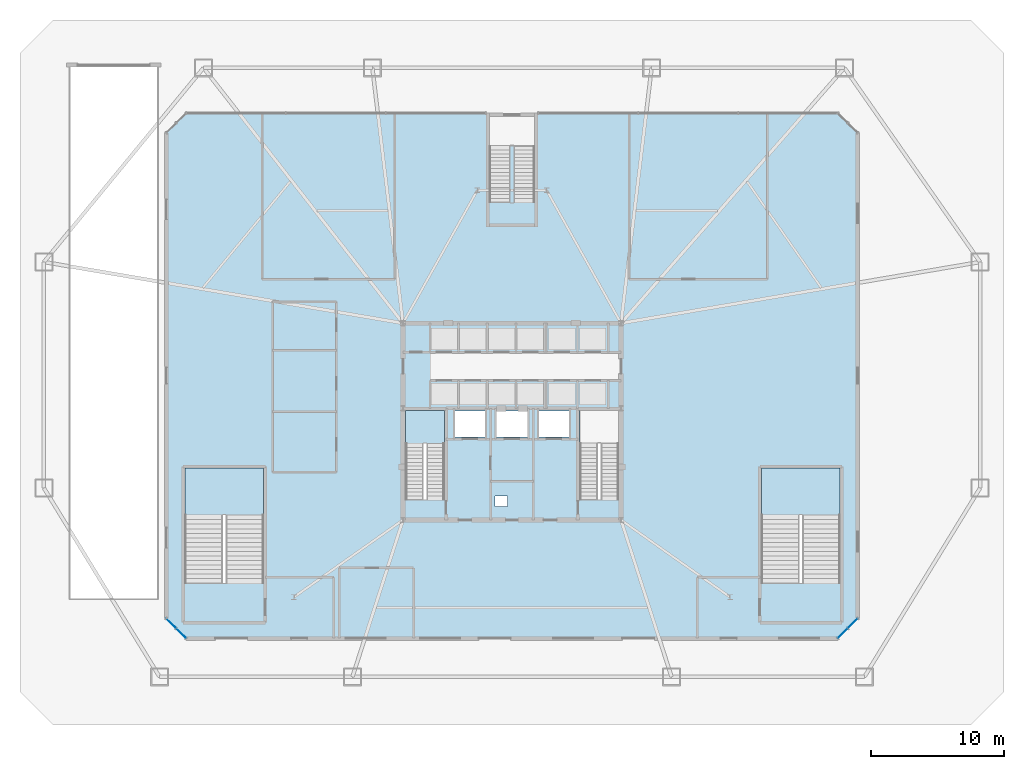
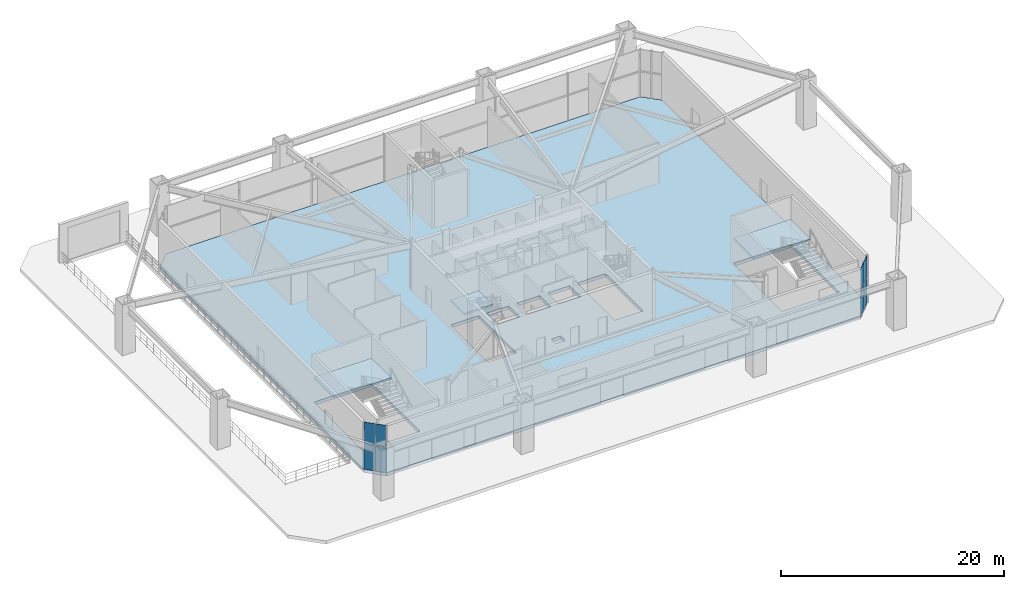
# One storey, part 12 of 20: 8 plates, 4 slabs, 5 elements without a shape of their own.
"""IFC4 building model written with IfcOpenShell, lengths in metres."""

import ifcopenshell
import ifcopenshell.guid

model = None  # the IFC model being written
_history = None  # IfcOwnerHistory: only IFC2X3 demands one
_inside = {}  # id of a spatial element -> (the spatial element, [elements in it])
_under = {}  # id of a project, library or spatial element -> (it, [spatial elements below it])
_declared = {}  # id of a project -> (the project, [libraries it declares])
_typed = {}  # id of a type object -> (the type object, [elements of that type])
_made_of = {}  # id of a material, layer set ... -> (it, [elements and type objects made of it])


def new_model(schema):
    """Start an empty IFC model of exactly this schema.

    Asked for "IFC4X3", IfcOpenShell would pick the latest addendum, in which some entities
    have other attributes; the version numbers below select the first issue.
    IFC2X3 requires an IfcOwnerHistory on every rooted entity: one is made here for all.
    """
    global model, _history
    if schema == "IFC4X3":
        model = ifcopenshell.file(schema_version=(4, 3, 0, 0))
    else:
        model = ifcopenshell.file(schema=schema)
    _inside.clear()
    _under.clear()
    _declared.clear()
    _typed.clear()
    _made_of.clear()
    _history = None
    if model.schema == "IFC2X3":
        org = make("IfcOrganization", Name="unknown")
        user = make(
            "IfcPersonAndOrganization",
            ThePerson=make("IfcPerson", FamilyName="unknown"),
            TheOrganization=org,
        )
        app = make(
            "IfcApplication",
            ApplicationDeveloper=org,
            Version="unknown",
            ApplicationFullName="unknown",
            ApplicationIdentifier="unknown",
        )
        _history = make(
            "IfcOwnerHistory",
            OwningUser=user,
            OwningApplication=app,
            ChangeAction="ADDED",
            CreationDate=0,
        )
    return model


def make(cls, **values):
    """One entity of the class cls with the attributes given. An attribute that is None is left unset."""
    return model.create_entity(
        cls, **{name: value for name, value in values.items() if value is not None}
    )


def rooted(cls, **values):
    """An entity with a GlobalId (a new one), such as an element, a storey or a relation."""
    return make(cls, GlobalId=ifcopenshell.guid.new(), OwnerHistory=_history, **values)


def si_unit(unit_type, name, prefix=None):
    """IfcSIUnit, for example si_unit("LENGTHUNIT", "METRE", prefix="MILLI")."""
    return make("IfcSIUnit", UnitType=unit_type, Prefix=prefix, Name=name)


def assignment(units):
    """IfcUnitAssignment: the units of a project."""
    return None if units is None else make("IfcUnitAssignment", Units=units)


def point(xyz):
    """IfcCartesianPoint."""
    return None if xyz is None else make("IfcCartesianPoint", Coordinates=xyz)


def direction(xyz):
    """IfcDirection."""
    return None if xyz is None else make("IfcDirection", DirectionRatios=xyz)


def frame(location, z_axis=None, x_axis=None):
    """IfcAxis2Placement3D, a coordinate frame: its origin and axes. An axis left out is left unset."""
    return make(
        "IfcAxis2Placement3D",
        Location=point(location),
        Axis=direction(z_axis),
        RefDirection=direction(x_axis),
    )


def frame_2d(location, x_axis=None):
    """IfcAxis2Placement2D, a coordinate frame in the plane: its origin and x axis."""
    return make(
        "IfcAxis2Placement2D", Location=point(location), RefDirection=direction(x_axis)
    )


def origin():
    """The frame at (0, 0, 0) with its axes left unset."""
    return frame((0.0, 0.0, 0.0))


def origin_2d():
    """The frame at (0, 0) in the plane with its x axis left unset."""
    return frame_2d((0.0, 0.0))


def place(relative_to, where):
    """IfcLocalPlacement: puts the frame where relative to a parent placement (None: the world)."""
    return make(
        "IfcLocalPlacement", PlacementRelTo=relative_to, RelativePlacement=where
    )


def context(
    kind, dimensions, precision=None, world=None, true_north=None, identifier=None
):
    """IfcGeometricRepresentationContext, for example the 3D "Model" context."""
    return make(
        "IfcGeometricRepresentationContext",
        ContextIdentifier=identifier,
        ContextType=kind,
        CoordinateSpaceDimension=dimensions,
        Precision=precision,
        WorldCoordinateSystem=world,
        TrueNorth=true_north,
    )


def subcontext(parent, identifier, kind, view, scale=None):
    """IfcGeometricRepresentationSubContext, for example "Body" below "Model"."""
    return make(
        "IfcGeometricRepresentationSubContext",
        ContextIdentifier=identifier,
        ContextType=kind,
        ParentContext=parent,
        TargetScale=scale,
        TargetView=view,
    )


def project(units=None, contexts=None):
    """IfcProject with its units and contexts."""
    return rooted(
        "IfcProject",
        Name="project",
        RepresentationContexts=contexts,
        UnitsInContext=assignment(units),
    )


def spatial(cls, under=None, at=None, **own):
    """A site, building, storey or space (cls), placed at a placement, below another one or the project."""
    s = rooted(cls, ObjectPlacement=at, **own)
    if under is not None:
        _under.setdefault(under.id(), (under, []))[1].append(s)
    return s


def polyline(points):
    """IfcPolyline through the points."""
    return make("IfcPolyline", Points=[point(p) for p in points])


def profile(cls, at=None, kind="AREA", **sizes):
    """A parametric profile (cls). Its sizes go by their IFC names, for example OverallWidth=200.0."""
    return make(cls, ProfileType=kind, Position=at, **sizes)


def rectangle(**sizes):
    """IfcRectangleProfileDef."""
    return profile("IfcRectangleProfileDef", **sizes)


def outline(outer, holes=None, kind="AREA"):
    """IfcArbitraryClosedProfileDef: a profile drawn as a closed curve; with holes, ...WithVoids."""
    if holes is None:
        return make("IfcArbitraryClosedProfileDef", ProfileType=kind, OuterCurve=outer)
    return make(
        "IfcArbitraryProfileDefWithVoids",
        ProfileType=kind,
        OuterCurve=outer,
        InnerCurves=holes,
    )


def extrude(swept, where, along, depth):
    """IfcExtrudedAreaSolid: the profile swept, set in the frame where, extruded along a direction by depth."""
    return make(
        "IfcExtrudedAreaSolid",
        SweptArea=swept,
        Position=where,
        ExtrudedDirection=direction(along),
        Depth=depth,
    )


def shape(context_of_items, identifier, shape_type, items):
    """IfcShapeRepresentation: the items that make up one representation, for example the "Body"."""
    return make(
        "IfcShapeRepresentation",
        ContextOfItems=context_of_items,
        RepresentationIdentifier=identifier,
        RepresentationType=shape_type,
        Items=items,
    )


def source(mapping_origin, context_of_items, identifier, shape_type, items):
    """IfcRepresentationMap: a shape defined once, which mapped items show again and again."""
    return make(
        "IfcRepresentationMap",
        MappingOrigin=mapping_origin,
        MappedRepresentation=shape(context_of_items, identifier, shape_type, items),
    )


def transform(
    local_origin,
    x_axis=None,
    y_axis=None,
    z_axis=None,
    scale=None,
    scale2=None,
    scale3=None,
    uniform=True,
):
    """IfcCartesianTransformationOperator3D, or its non-uniform kind. x_axis, y_axis, z_axis: its Axis1, 2, 3."""
    if uniform:
        return make(
            "IfcCartesianTransformationOperator3D",
            Axis1=direction(x_axis),
            Axis2=direction(y_axis),
            LocalOrigin=point(local_origin),
            Scale=scale,
            Axis3=direction(z_axis),
        )
    return make(
        "IfcCartesianTransformationOperator3DnonUniform",
        Axis1=direction(x_axis),
        Axis2=direction(y_axis),
        LocalOrigin=point(local_origin),
        Scale=scale,
        Axis3=direction(z_axis),
        Scale2=scale2,
        Scale3=scale3,
    )


def mapped(mapping_source, mapping_target):
    """IfcMappedItem: shows the shape of a source again, moved by a transform."""
    return make(
        "IfcMappedItem", MappingSource=mapping_source, MappingTarget=mapping_target
    )


def material(Name=None, Category=None):
    """IfcMaterial."""
    return make("IfcMaterial", Name=Name, Category=Category)


def layer(
    of_material, thickness, ventilated=None, Name=None, Category=None, Priority=None
):
    """IfcMaterialLayer: one layer of a wall or slab, of a material (None: an air gap)."""
    return make(
        "IfcMaterialLayer",
        Material=of_material,
        LayerThickness=thickness,
        IsVentilated=ventilated,
        Name=Name,
        Category=Category,
        Priority=Priority,
    )


def layer_set(layers, Name=None):
    """IfcMaterialLayerSet."""
    return make("IfcMaterialLayerSet", MaterialLayers=layers, LayerSetName=Name)


def made_of(thing, what):
    """Note that an element or type object is made of a material, layer set ...; save() writes the relation."""
    if what is not None:
        _made_of.setdefault(what.id(), (what, []))[1].append(thing)
    return thing


def type_object(cls, material=None, **own):
    """A type object (cls), such as IfcWallType, which elements share."""
    return made_of(rooted(cls, **own), material)


def type_shapes(of_type, sources):
    """Give a type object the sources (RepresentationMaps) that its elements show as mapped items."""
    of_type.RepresentationMaps = sources


def element(
    cls,
    number,
    at=None,
    inside=None,
    cuts=None,
    type_object=None,
    material=None,
    context=None,
    identifier="Body",
    shape_type=None,
    held_by="IfcProductDefinitionShape",
    body=None,
    shapes=None,
    **own,
):
    """One element of the class cls, such as IfcWall. Its Tag is "e" and its number.

    at: its placement. inside: the storey or other place that contains it. cuts: it is an
    opening in that element (IfcRelVoidsElement). A single representation is given by context,
    identifier, shape_type and body (its items); several are given by shapes. held_by: the class
    of the entity that holds the representations. save() writes the other relations.
    """
    e = rooted(cls, Tag="e%d" % number, ObjectPlacement=at, **own)
    if body is not None:
        shapes = [shape(context, identifier, shape_type, body)]
    if shapes is not None:
        e.Representation = make(held_by, Representations=shapes)
    if inside is not None:
        _inside.setdefault(inside.id(), (inside, []))[1].append(e)
    if cuts is not None:
        rooted(
            "IfcRelVoidsElement", RelatingBuildingElement=cuts, RelatedOpeningElement=e
        )
    if type_object is not None:
        _typed.setdefault(type_object.id(), (type_object, []))[1].append(e)
    return made_of(e, material)


def aggregate(whole, parts):
    """IfcRelAggregates: a whole, such as a stair, and the parts it consists of."""
    return rooted("IfcRelAggregates", RelatingObject=whole, RelatedObjects=parts)


def save(model, path):
    """Write the relations noted so far, then the file.

    IfcRelAggregates (storeys below a building ...), IfcRelContainedInSpatialStructure (elements
    in a storey), IfcRelDefinesByType, IfcRelAssociatesMaterial and IfcRelDeclares: one each for
    every whole, place, type object, material and project.
    """
    for whole, parts in _under.values():
        aggregate(whole, parts)
    for where, things in _inside.values():
        rooted(
            "IfcRelContainedInSpatialStructure",
            RelatedElements=things,
            RelatingStructure=where,
        )
    for kind, things in _typed.values():
        rooted("IfcRelDefinesByType", RelatedObjects=things, RelatingType=kind)
    for what, things in _made_of.values():
        rooted("IfcRelAssociatesMaterial", RelatedObjects=things, RelatingMaterial=what)
    for by, libraries in _declared.values():
        rooted("IfcRelDeclares", RelatingContext=by, RelatedDefinitions=libraries)
    model.write(path)


model = new_model("IFC4")

# Units and contexts
model_context = context("Model", 3, precision=1e-05, world=origin(), true_north=direction((0.0, 1.0)))
body_context = subcontext(model_context, "Body", "Model", "MODEL_VIEW")
ifc_project = project(units=[si_unit("LENGTHUNIT", "METRE"), si_unit("AREAUNIT", "SQUARE_METRE"), si_unit("VOLUMEUNIT", "CUBIC_METRE"), si_unit("PLANEANGLEUNIT", "RADIAN"), si_unit("MASSUNIT", "GRAM", prefix="KILO")], contexts=[model_context])

# Site, building, storey
site_placement = place(None, origin())
site = spatial("IfcSite", under=ifc_project, at=site_placement, CompositionType="ELEMENT")
building_placement = place(site_placement, origin())
building = spatial("IfcBuilding", under=site, at=building_placement, Name="Varakhsha Concourse Tower", CompositionType="ELEMENT")
storey_placement = place(building_placement, origin())
storey = spatial("IfcBuildingStorey", under=building, at=storey_placement, Name="L01", CompositionType="ELEMENT", Elevation=0.0)

# Slab
ifc_material_1 = material(Name="Concrete fc 45 MPa", Category="concrete")
ifc_layer_1 = layer(ifc_material_1, 0.35009765625, Name="SL-FLR-350")
ifc_layer_set_1 = layer_set([ifc_layer_1], Name="Concrete fc 45 MPa")
slab_type_1 = type_object("IfcSlabType", Name="SL-FLR-350", PredefinedType="FLOOR", material=ifc_layer_set_1)
slab_1_placement = place(storey_placement, frame((0.0, 0.0, -0.35009765625)))
element("IfcSlab", 1, at=slab_1_placement, inside=storey, type_object=slab_type_1, Name="L01 Composite Structural Slab", PredefinedType="FLOOR", context=body_context, shape_type="SweptSolid", body=[
    extrude(outline(polyline([(15.5, 7.5), (64.5, 7.5), (66.0, 9.0), (66.0, 45.5), (64.5, 47.0), (15.5, 47.0), (14.0, 45.5), (14.0, 9.0), (15.5, 7.5)]), holes=[polyline([(34.919921875, 17.93994140625), (34.919921875, 24.6298828125), (32.0, 24.6298828125), (32.0, 17.93994140625), (34.919921875, 17.93994140625)]), polyline([(48.02001953125, 17.93994140625), (48.02001953125, 24.6298828125), (45.10009765625, 24.6298828125), (45.10009765625, 17.93994140625), (48.02001953125, 17.93994140625)]), polyline([(21.320068359375, 11.659912109375), (21.320068359375, 20.300048828125), (15.39990234375, 20.300048828125), (15.39990234375, 11.659912109375), (21.320068359375, 11.659912109375)]), polyline([(64.679931640625, 11.659912109375), (64.679931640625, 20.300048828125), (58.760009765625, 20.300048828125), (58.760009765625, 11.659912109375), (64.679931640625, 11.659912109375)]), polyline([(35.7099609375, 22.639892578125), (37.989990234375, 22.639892578125), (37.989990234375, 24.60009765625), (35.7099609375, 24.60009765625), (35.7099609375, 22.639892578125)]), polyline([(42.010009765625, 22.639892578125), (44.2900390625, 22.639892578125), (44.2900390625, 24.60009765625), (42.010009765625, 24.60009765625), (42.010009765625, 22.639892578125)]), polyline([(38.81005859375, 22.639892578125), (41.18994140625, 22.639892578125), (41.18994140625, 24.60009765625), (38.81005859375, 24.60009765625), (38.81005859375, 22.639892578125)]), polyline([(38.719970703125, 17.39990234375), (39.679931640625, 17.39990234375), (39.679931640625, 18.199951171875), (38.719970703125, 18.199951171875), (38.719970703125, 17.39990234375)])]), origin(), (0.0, 0.0, 1.0), 0.35009765625),
])

# Stair, slab
stair_type_1 = type_object("IfcStairType", Name="ST-DOGLEG-1360", PredefinedType="HALF_TURN_STAIR", material=ifc_material_1)
stair_1_placement = place(storey_placement, origin())
stair_1 = element("IfcStair", 2, at=stair_1_placement, inside=storey, type_object=stair_type_1, Name="L01 Protected Exit Stair ST1", PredefinedType="HALF_TURN_STAIR")
ifc_layer_2 = layer(ifc_material_1, 0.199951171875, Name="SL-LAND-200")
ifc_layer_set_2 = layer_set([ifc_layer_2], Name="Concrete fc 45 MPa")
slab_type_2 = type_object("IfcSlabType", Name="SL-LAND-200", PredefinedType="LANDING", material=ifc_layer_set_2)
slab_2_placement = place(storey_placement, frame((0.0, 0.0, 2.550048828125)))
slab_2 = element("IfcSlab", 3, at=slab_2_placement, type_object=slab_type_2, Name="ST1 landing 1", PredefinedType="LANDING", context=body_context, shape_type="SweptSolid", body=[
    extrude(outline(polyline([(34.919921875, 22.139892578125), (34.919921875, 24.6298828125), (32.0, 24.6298828125), (32.0, 22.139892578125), (34.919921875, 22.139892578125)])), origin(), (0.0, 0.0, 1.0), 0.199951171875),
])
aggregate(stair_1, [slab_2])

stair_type_2 = type_object("IfcStairType", Name="ST-DOGLEG-2860", PredefinedType="HALF_TURN_STAIR", material=ifc_material_1)
stair_2_placement = place(storey_placement, origin())
stair_2 = element("IfcStair", 4, at=stair_2_placement, inside=storey, type_object=stair_type_2, Name="L01 Protected Exit Stair ST3", PredefinedType="HALF_TURN_STAIR")
slab_3_placement = place(storey_placement, frame((0.0, 0.0, 2.550048828125)))
slab_3 = element("IfcSlab", 5, at=slab_3_placement, type_object=slab_type_2, Name="ST3 landing 1", PredefinedType="LANDING", context=body_context, shape_type="SweptSolid", body=[
    extrude(outline(polyline([(21.320068359375, 16.760009765625), (21.320068359375, 20.300048828125), (15.39990234375, 20.300048828125), (15.39990234375, 16.760009765625), (21.320068359375, 16.760009765625)])), origin(), (0.0, 0.0, 1.0), 0.199951171875),
])
aggregate(stair_2, [slab_3])

stair_3_placement = place(storey_placement, origin())
stair_3 = element("IfcStair", 6, at=stair_3_placement, inside=storey, type_object=stair_type_2, Name="L01 Protected Exit Stair ST4", PredefinedType="HALF_TURN_STAIR")
slab_4_placement = place(storey_placement, frame((0.0, 0.0, 2.550048828125)))
slab_4 = element("IfcSlab", 7, at=slab_4_placement, type_object=slab_type_2, Name="ST4 landing 1", PredefinedType="LANDING", context=body_context, shape_type="SweptSolid", body=[
    extrude(outline(polyline([(64.679931640625, 16.760009765625), (64.679931640625, 20.300048828125), (58.760009765625, 20.300048828125), (58.760009765625, 16.760009765625), (64.679931640625, 16.760009765625)])), origin(), (0.0, 0.0, 1.0), 0.199951171875),
])
aggregate(stair_3, [slab_4])

# Curtain wall, plates
ifc_material_2 = material(Name="Anodised Bronze Architectural Aluminium AA 6063-T6", Category="aluminium")
ifc_layer_3 = layer(ifc_material_2, 0.239990234375, Name="CW-SYS-01")
ifc_layer_set_3 = layer_set([ifc_layer_3], Name="Anodised Bronze Architectural Aluminium AA 6063-T6")
curtain_wall_type = type_object("IfcCurtainWallType", Name="CW-SYS-01", PredefinedType="NOTDEFINED", material=ifc_layer_set_3)
curtain_wall_1_placement = place(storey_placement, origin())
curtain_wall_1 = element("IfcCurtainWall", 8, at=curtain_wall_1_placement, inside=storey, type_object=curtain_wall_type, Name="L01 Concourse Curtain Wall 02", PredefinedType="NOTDEFINED")
ifc_material_3 = material(Name="Low-E Triple Insulating Glass IGU 44 mm", Category="glass")
ifc_layer_4 = layer(ifc_material_3, 0.0439453125, Name="CWP-IGU-44")
ifc_layer_set_4 = layer_set([ifc_layer_4], Name="Low-E Triple Insulating Glass IGU 44 mm")
plate_type_1 = type_object("IfcPlateType", Name="CWP-IGU-44", PredefinedType="CURTAIN_PANEL", material=ifc_layer_set_4)
shared_shape_1 = source(origin(), body_context, "Body", "SweptSolid", [
    extrude(rectangle(XDim=0.981689453125, YDim=0.0439453125, at=origin_2d()), origin(), (0.0, 0.0, 1.0), 2.73095703125),
])
type_shapes(plate_type_1, [shared_shape_1])
plate_1_placement = place(storey_placement, frame((64.875, 7.875, 0.034423828125), z_axis=(0.0, 0.0, 1.0), x_axis=(0.707106781187, 0.707106781187, 0.0)))
plate_1 = element("IfcPlate", 9, at=plate_1_placement, type_object=plate_type_1, Name="CW-L01-02 Panel 00-00", PredefinedType="CURTAIN_PANEL", context=body_context, shape_type="MappedRepresentation", body=[
    mapped(shared_shape_1, transform((0.0, 0.0, 0.0), scale=1.0)),
])
plate_2_placement = place(storey_placement, frame((65.625, 8.625, 0.034423828125), z_axis=(0.0, 0.0, 1.0), x_axis=(0.707106781187, 0.707106781187, 0.0)))
plate_2 = element("IfcPlate", 10, at=plate_2_placement, type_object=plate_type_1, Name="CW-L01-02 Panel 01-00", PredefinedType="CURTAIN_PANEL", context=body_context, shape_type="MappedRepresentation", body=[
    mapped(shared_shape_1, transform((0.0, 0.0, 0.0), scale=1.0)),
])

curtain_wall_2_placement = place(storey_placement, origin())
curtain_wall_2 = element("IfcCurtainWall", 11, at=curtain_wall_2_placement, inside=storey, type_object=curtain_wall_type, Name="L01 Concourse Curtain Wall 08", PredefinedType="NOTDEFINED")
plate_3_placement = place(storey_placement, frame((14.375, 8.625, 0.034423828125), z_axis=(0.0, 0.0, 1.0), x_axis=(0.707106781187, -0.707106781187, 0.0)))
plate_3 = element("IfcPlate", 12, at=plate_3_placement, type_object=plate_type_1, Name="CW-L01-08 Panel 00-00", PredefinedType="CURTAIN_PANEL", context=body_context, shape_type="MappedRepresentation", body=[
    mapped(shared_shape_1, transform((0.0, 0.0, 0.0), scale=1.0)),
])
plate_4_placement = place(storey_placement, frame((15.125, 7.875, 0.034423828125), z_axis=(0.0, 0.0, 1.0), x_axis=(0.707106781187, -0.707106781187, 0.0)))
plate_4 = element("IfcPlate", 13, at=plate_4_placement, type_object=plate_type_1, Name="CW-L01-08 Panel 01-00", PredefinedType="CURTAIN_PANEL", context=body_context, shape_type="MappedRepresentation", body=[
    mapped(shared_shape_1, transform((0.0, 0.0, 0.0), scale=1.0)),
])

# Plate
ifc_material_4 = material(Name="Glazed Turquoise-Bronze Ceramic Spandrel Panel 38 mm", Category="ceramic")
ifc_layer_5 = layer(ifc_material_4, 0.0380859375, Name="CWP-SPN-38")
ifc_layer_set_5 = layer_set([ifc_layer_5], Name="Glazed Turquoise-Bronze Ceramic Spandrel Panel 38 mm")
plate_type_2 = type_object("IfcPlateType", Name="CWP-SPN-38", PredefinedType="USERDEFINED", material=ifc_layer_set_5)
shared_shape_2 = source(origin(), body_context, "Body", "SweptSolid", [
    extrude(rectangle(XDim=0.981689453125, YDim=0.0380859375, at=origin_2d()), origin(), (0.0, 0.0, 1.0), 2.35107421875),
])
type_shapes(plate_type_2, [shared_shape_2])
plate_5_placement = place(storey_placement, frame((64.875, 7.875, 2.83447265625), z_axis=(0.0, 0.0, 1.0), x_axis=(0.707106781187, 0.707106781187, 0.0)))
plate_5 = element("IfcPlate", 14, at=plate_5_placement, type_object=plate_type_2, Name="CW-L01-02 Panel 00-01", ObjectType="SPANDREL", PredefinedType="USERDEFINED", context=body_context, shape_type="MappedRepresentation", body=[
    mapped(shared_shape_2, transform((0.0, 0.0, 0.0), scale=1.0)),
])

plate_6_placement = place(storey_placement, frame((65.625, 8.625, 2.83447265625), z_axis=(0.0, 0.0, 1.0), x_axis=(0.707106781187, 0.707106781187, 0.0)))
plate_6 = element("IfcPlate", 15, at=plate_6_placement, type_object=plate_type_2, Name="CW-L01-02 Panel 01-01", ObjectType="SPANDREL", PredefinedType="USERDEFINED", context=body_context, shape_type="MappedRepresentation", body=[
    mapped(shared_shape_2, transform((0.0, 0.0, 0.0), scale=1.0)),
])

aggregate(curtain_wall_1, [plate_1, plate_5, plate_2, plate_6])

plate_7_placement = place(storey_placement, frame((14.375, 8.625, 2.83447265625), z_axis=(0.0, 0.0, 1.0), x_axis=(0.707106781187, -0.707106781187, 0.0)))
plate_7 = element("IfcPlate", 16, at=plate_7_placement, type_object=plate_type_2, Name="CW-L01-08 Panel 00-01", ObjectType="SPANDREL", PredefinedType="USERDEFINED", context=body_context, shape_type="MappedRepresentation", body=[
    mapped(shared_shape_2, transform((0.0, 0.0, 0.0), scale=1.0)),
])

plate_8_placement = place(storey_placement, frame((15.125, 7.875, 2.83447265625), z_axis=(0.0, 0.0, 1.0), x_axis=(0.707106781187, -0.707106781187, 0.0)))
plate_8 = element("IfcPlate", 17, at=plate_8_placement, type_object=plate_type_2, Name="CW-L01-08 Panel 01-01", ObjectType="SPANDREL", PredefinedType="USERDEFINED", context=body_context, shape_type="MappedRepresentation", body=[
    mapped(shared_shape_2, transform((0.0, 0.0, 0.0), scale=1.0)),
])

aggregate(curtain_wall_2, [plate_3, plate_7, plate_4, plate_8])

save(model, "model.ifc")
